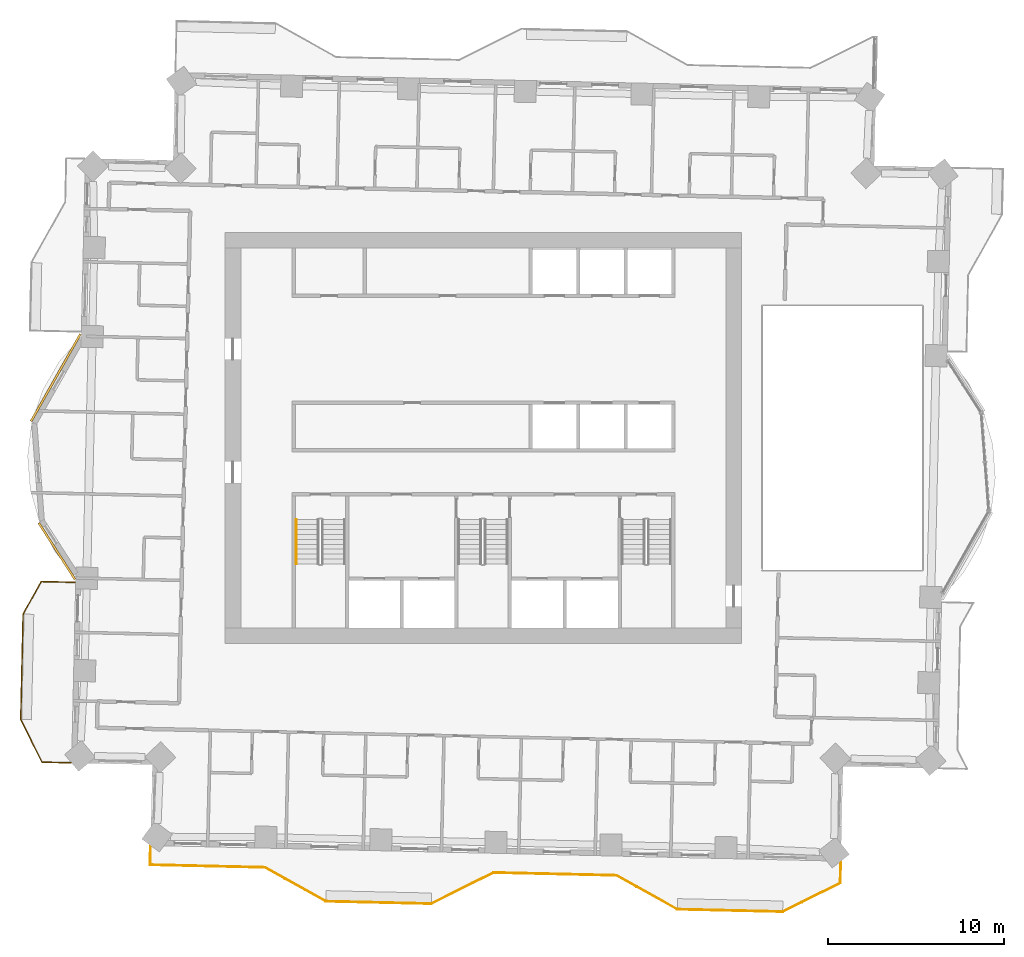
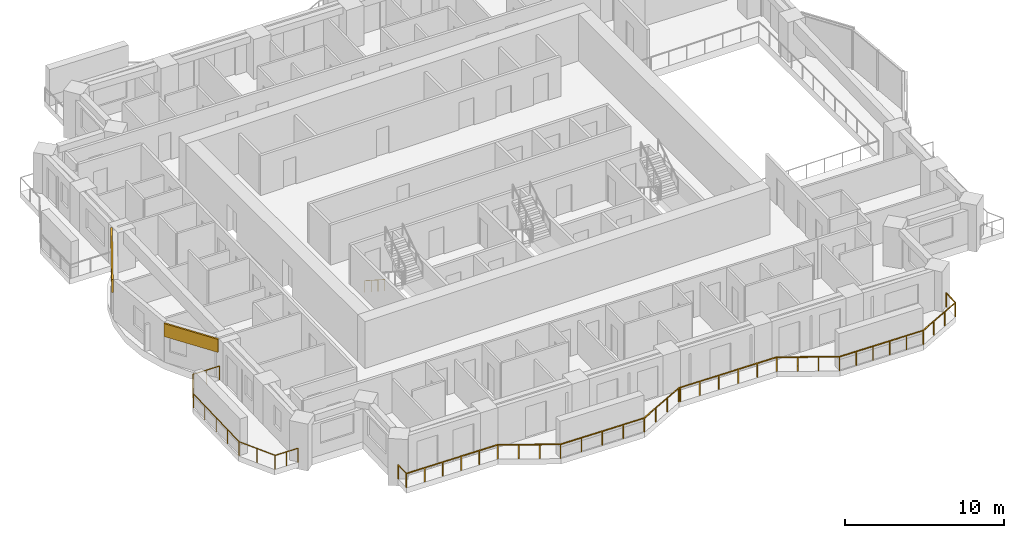
# One storey, part 11 of 14: 3 railings, 2 coverings.
"""IFC4 building model written with IfcOpenShell, lengths in metres."""

from ifc_helpers import new_model, si_unit, direction, frame, frame_2d, origin, origin_2d, place, context, subcontext, project, spatial, rectangle, circle, extrude, material, layer, layer_set, type_object, element, save


model = new_model("IFC4")

# Units and contexts
model_context = context("Model", 3, precision=1e-05, world=origin(), true_north=direction((0.0, 1.0)))
body_context = subcontext(model_context, "Body", "Model", "MODEL_VIEW")
ifc_project = project(units=[si_unit("LENGTHUNIT", "METRE"), si_unit("AREAUNIT", "SQUARE_METRE"), si_unit("VOLUMEUNIT", "CUBIC_METRE"), si_unit("PLANEANGLEUNIT", "RADIAN"), si_unit("MASSUNIT", "GRAM", prefix="KILO")], contexts=[model_context])

# Site, building, storey
site_placement = place(None, origin())
site = spatial("IfcSite", under=ifc_project, at=site_placement, CompositionType="ELEMENT")
building_placement = place(site_placement, origin())
building = spatial("IfcBuilding", under=site, at=building_placement, Name="Mangrove Gate Tower", CompositionType="ELEMENT")
storey_placement = place(building_placement, frame((0.0, 0.0, 167.10009765625)))
storey = spatial("IfcBuildingStorey", under=building, at=storey_placement, Name="L42", CompositionType="ELEMENT", Elevation=167.10009765625)

# Railings
ifc_material_1 = material(Name="Stainless steel grade 316 with laminated glass infill", Category="steel")
railing_type_1 = type_object("IfcRailingType", Name="Balcony guard 1100", PredefinedType="GUARDRAIL", material=ifc_material_1)
railing_1_placement = place(storey_placement, frame((-23.235107421875, -8.212890625, 0.0)))
element("IfcRailing", 1, at=railing_1_placement, inside=storey, type_object=railing_type_1, Name="GUARD L42 W2", PredefinedType="GUARDRAIL", context=body_context, shape_type="SweptSolid", body=[
    extrude(rectangle(XDim=0.048095703125, YDim=0.048095703125, at=origin_2d()), frame((0.0, 0.0, 1.076171875), z_axis=(-0.999749396593, 0.022386246031, 0.0), x_axis=(-0.022386246031, -0.999749396593, 0.0)), (0.0, 0.0, 1.0), 1.91943359375),
    extrude(rectangle(XDim=0.048095703125, YDim=0.048095703125, at=origin_2d()), frame((-1.9189453125, 0.04296875, 1.076171875), z_axis=(-0.487098711433, -0.873346921515, 0.0), x_axis=(0.873346921515, -0.487098711433, 0.0)), (0.0, 0.0, 1.0), 2.12060546875),
    extrude(rectangle(XDim=0.048095703125, YDim=0.048095703125, at=origin_2d()), frame((-2.951904296875, -1.80908203125, 1.076171875), z_axis=(-0.022665943652, -0.999743094499, 0.0), x_axis=(0.999743094499, -0.022665943652, 0.0)), (0.0, 0.0, 1.0), 5.99951171875),
    extrude(rectangle(XDim=0.048095703125, YDim=0.048095703125, at=origin_2d()), frame((-3.087890625, -7.80712890625, 1.076171875), z_axis=(0.447249569365, -0.894409203163, 0.0), x_axis=(0.894409203163, 0.447249569365, 0.0)), (0.0, 0.0, 1.0), 2.714599609375),
    extrude(rectangle(XDim=0.048095703125, YDim=0.048095703125, at=origin_2d()), frame((-1.873779296875, -10.235107421875, 1.076171875), z_axis=(0.999730737438, -0.023204581913, 0.0), x_axis=(0.023204581913, 0.999730737438, 0.0)), (0.0, 0.0, 1.0), 1.641357421875),
    extrude(rectangle(XDim=0.0419921875, YDim=0.0419921875, at=origin_2d()), origin(), (0.0, 0.0, 1.0), 1.052001953125),
    extrude(rectangle(XDim=0.0419921875, YDim=0.0419921875, at=origin_2d()), frame((-0.95947265625, 0.021484375, 0.0)), (0.0, 0.0, 1.0), 1.052001953125),
    extrude(rectangle(XDim=0.0419921875, YDim=0.0419921875, at=origin_2d()), frame((-1.9189453125, 0.04296875, 0.0)), (0.0, 0.0, 1.0), 1.052001953125),
    extrude(rectangle(XDim=0.0419921875, YDim=0.0419921875, at=origin_2d()), frame((-2.435546875, -0.883056640625, 0.0)), (0.0, 0.0, 1.0), 1.052001953125),
    extrude(rectangle(XDim=0.0419921875, YDim=0.0419921875, at=origin_2d()), frame((-2.951904296875, -1.80908203125, 0.0)), (0.0, 0.0, 1.0), 1.052001953125),
    extrude(rectangle(XDim=0.0419921875, YDim=0.0419921875, at=origin_2d()), frame((-2.98583984375, -3.30859375, 0.0)), (0.0, 0.0, 1.0), 1.052001953125),
    extrude(rectangle(XDim=0.0419921875, YDim=0.0419921875, at=origin_2d()), frame((-3.02001953125, -4.80810546875, 0.0)), (0.0, 0.0, 1.0), 1.052001953125),
    extrude(rectangle(XDim=0.0419921875, YDim=0.0419921875, at=origin_2d()), frame((-3.053955078125, -6.3076171875, 0.0)), (0.0, 0.0, 1.0), 1.052001953125),
    extrude(rectangle(XDim=0.0419921875, YDim=0.0419921875, at=origin_2d()), frame((-3.087890625, -7.80712890625, 0.0)), (0.0, 0.0, 1.0), 1.052001953125),
    extrude(rectangle(XDim=0.0419921875, YDim=0.0419921875, at=origin_2d()), frame((-2.48095703125, -9.02099609375, 0.0)), (0.0, 0.0, 1.0), 1.052001953125),
    extrude(rectangle(XDim=0.0419921875, YDim=0.0419921875, at=origin_2d()), frame((-1.873779296875, -10.235107421875, 0.0)), (0.0, 0.0, 1.0), 1.052001953125),
    extrude(rectangle(XDim=0.0419921875, YDim=0.0419921875, at=origin_2d()), frame((-1.05322265625, -10.254150390625, 0.0)), (0.0, 0.0, 1.0), 1.052001953125),
    extrude(rectangle(XDim=0.0419921875, YDim=0.0419921875, at=origin_2d()), frame((-0.23291015625, -10.273193359375, 0.0)), (0.0, 0.0, 1.0), 1.052001953125),
])
railing_2_placement = place(storey_placement, frame((-18.93505859375, -23.22998046875, 0.0)))
element("IfcRailing", 2, at=railing_2_placement, inside=storey, type_object=railing_type_1, Name="GUARD L42 S1", PredefinedType="GUARDRAIL", context=body_context, shape_type="SweptSolid", body=[
    extrude(rectangle(XDim=0.048095703125, YDim=0.048095703125, at=origin_2d()), frame((0.0, 0.0, 1.076171875), z_axis=(-0.022585293253, -0.999744919731, 0.0), x_axis=(0.999744919731, -0.022585293253, 0.0)), (0.0, 0.0, 1.0), 1.059326171875),
    extrude(rectangle(XDim=0.048095703125, YDim=0.048095703125, at=origin_2d()), frame((-0.02392578125, -1.05908203125, 1.076171875), z_axis=(0.999740677876, -0.022772285792, 0.0), x_axis=(0.022772285792, 0.999740677876, 0.0)), (0.0, 0.0, 1.0), 6.539794921875),
    extrude(rectangle(XDim=0.048095703125, YDim=0.048095703125, at=origin_2d()), frame((6.51416015625, -1.2080078125, 1.076171875), z_axis=(0.873315448515, -0.487155136876, 0.0), x_axis=(0.487155136876, 0.873315448515, 0.0)), (0.0, 0.0, 1.0), 3.959716796875),
    extrude(rectangle(XDim=0.048095703125, YDim=0.048095703125, at=origin_2d()), frame((9.97216796875, -3.136962890625, 1.076171875), z_axis=(0.999743073592, -0.022666865795, 0.0), x_axis=(0.022666865795, 0.999743073592, 0.0)), (0.0, 0.0, 1.0), 5.999267578125),
    extrude(rectangle(XDim=0.048095703125, YDim=0.048095703125, at=origin_2d()), frame((15.969970703125, -3.27294921875, 1.076171875), z_axis=(0.894476522376, 0.447114919141, 0.0), x_axis=(-0.447114919141, 0.894476522376, 0.0)), (0.0, 0.0, 1.0), 3.958740234375),
    extrude(rectangle(XDim=0.048095703125, YDim=0.048095703125, at=origin_2d()), frame((19.510986328125, -1.5029296875, 1.076171875), z_axis=(0.999759159015, -0.021945932759, 0.0), x_axis=(0.021945932759, 0.999759159015, 0.0)), (0.0, 0.0, 1.0), 0.10009765625),
    extrude(rectangle(XDim=0.048095703125, YDim=0.048095703125, at=origin_2d()), frame((19.611083984375, -1.505126953125, 1.076171875), z_axis=(0.999741140915, -0.022751948524, 0.0), x_axis=(0.022751948524, 0.999741140915, 0.0)), (0.0, 0.0, 1.0), 6.899658203125),
    extrude(rectangle(XDim=0.048095703125, YDim=0.048095703125, at=origin_2d()), frame((26.509033203125, -1.662109375, 1.076171875), z_axis=(0.873361856081, -0.487071933437, 0.0), x_axis=(0.487071933437, 0.873361856081, 0.0)), (0.0, 0.0, 1.0), 3.958251953125),
    extrude(rectangle(XDim=0.048095703125, YDim=0.048095703125, at=origin_2d()), frame((29.966064453125, -3.590087890625, 1.076171875), z_axis=(0.999739477659, -0.022824916448, 0.0), x_axis=(0.022824916448, 0.999739477659, 0.0)), (0.0, 0.0, 1.0), 6.00048828125),
    extrude(rectangle(XDim=0.048095703125, YDim=0.048095703125, at=origin_2d()), frame((35.965087890625, -3.72705078125, 1.076171875), z_axis=(0.894440513617, 0.447186949274, 0.0), x_axis=(-0.447186949274, 0.894440513617, 0.0)), (0.0, 0.0, 1.0), 3.6650390625),
    extrude(rectangle(XDim=0.048095703125, YDim=0.048095703125, at=origin_2d()), frame((39.2431640625, -2.088134765625, 1.076171875), z_axis=(0.022429599579, 0.999748424886, 0.0), x_axis=(-0.999748424886, 0.022429599579, 0.0)), (0.0, 0.0, 1.0), 1.197265625),
    extrude(rectangle(XDim=0.0419921875, YDim=0.0419921875, at=origin_2d()), origin(), (0.0, 0.0, 1.0), 1.052001953125),
    extrude(rectangle(XDim=0.0419921875, YDim=0.0419921875, at=origin_2d()), frame((-0.02392578125, -1.05908203125, 0.0)), (0.0, 0.0, 1.0), 1.052001953125),
    extrude(rectangle(XDim=0.0419921875, YDim=0.0419921875, at=origin_2d()), frame((1.28369140625, -1.0888671875, 0.0)), (0.0, 0.0, 1.0), 1.052001953125),
    extrude(rectangle(XDim=0.0419921875, YDim=0.0419921875, at=origin_2d()), frame((2.59130859375, -1.11865234375, 0.0)), (0.0, 0.0, 1.0), 1.052001953125),
    extrude(rectangle(XDim=0.0419921875, YDim=0.0419921875, at=origin_2d()), frame((3.89892578125, -1.1484375, 0.0)), (0.0, 0.0, 1.0), 1.052001953125),
    extrude(rectangle(XDim=0.0419921875, YDim=0.0419921875, at=origin_2d()), frame((5.20654296875, -1.17822265625, 0.0)), (0.0, 0.0, 1.0), 1.052001953125),
    extrude(rectangle(XDim=0.0419921875, YDim=0.0419921875, at=origin_2d()), frame((6.51416015625, -1.2080078125, 0.0)), (0.0, 0.0, 1.0), 1.052001953125),
    extrude(rectangle(XDim=0.0419921875, YDim=0.0419921875, at=origin_2d()), frame((7.666748046875, -1.85107421875, 0.0)), (0.0, 0.0, 1.0), 1.052001953125),
    extrude(rectangle(XDim=0.0419921875, YDim=0.0419921875, at=origin_2d()), frame((8.819580078125, -2.493896484375, 0.0)), (0.0, 0.0, 1.0), 1.052001953125),
    extrude(rectangle(XDim=0.0419921875, YDim=0.0419921875, at=origin_2d()), frame((9.97216796875, -3.136962890625, 0.0)), (0.0, 0.0, 1.0), 1.052001953125),
    extrude(rectangle(XDim=0.0419921875, YDim=0.0419921875, at=origin_2d()), frame((11.4716796875, -3.1708984375, 0.0)), (0.0, 0.0, 1.0), 1.052001953125),
    extrude(rectangle(XDim=0.0419921875, YDim=0.0419921875, at=origin_2d()), frame((12.97119140625, -3.205078125, 0.0)), (0.0, 0.0, 1.0), 1.052001953125),
    extrude(rectangle(XDim=0.0419921875, YDim=0.0419921875, at=origin_2d()), frame((14.470458984375, -3.239013671875, 0.0)), (0.0, 0.0, 1.0), 1.052001953125),
    extrude(rectangle(XDim=0.0419921875, YDim=0.0419921875, at=origin_2d()), frame((15.969970703125, -3.27294921875, 0.0)), (0.0, 0.0, 1.0), 1.052001953125),
    extrude(rectangle(XDim=0.0419921875, YDim=0.0419921875, at=origin_2d()), frame((17.150390625, -2.682861328125, 0.0)), (0.0, 0.0, 1.0), 1.052001953125),
    extrude(rectangle(XDim=0.0419921875, YDim=0.0419921875, at=origin_2d()), frame((18.33056640625, -2.093017578125, 0.0)), (0.0, 0.0, 1.0), 1.052001953125),
    extrude(rectangle(XDim=0.0419921875, YDim=0.0419921875, at=origin_2d()), frame((19.510986328125, -1.5029296875, 0.0)), (0.0, 0.0, 1.0), 1.052001953125),
    extrude(rectangle(XDim=0.0419921875, YDim=0.0419921875, at=origin_2d()), frame((19.611083984375, -1.505126953125, 0.0)), (0.0, 0.0, 1.0), 1.052001953125),
    extrude(rectangle(XDim=0.0419921875, YDim=0.0419921875, at=origin_2d()), frame((20.99072265625, -1.53662109375, 0.0)), (0.0, 0.0, 1.0), 1.052001953125),
    extrude(rectangle(XDim=0.0419921875, YDim=0.0419921875, at=origin_2d()), frame((22.370361328125, -1.56787109375, 0.0)), (0.0, 0.0, 1.0), 1.052001953125),
    extrude(rectangle(XDim=0.0419921875, YDim=0.0419921875, at=origin_2d()), frame((23.749755859375, -1.599365234375, 0.0)), (0.0, 0.0, 1.0), 1.052001953125),
    extrude(rectangle(XDim=0.0419921875, YDim=0.0419921875, at=origin_2d()), frame((25.12939453125, -1.630615234375, 0.0)), (0.0, 0.0, 1.0), 1.052001953125),
    extrude(rectangle(XDim=0.0419921875, YDim=0.0419921875, at=origin_2d()), frame((26.509033203125, -1.662109375, 0.0)), (0.0, 0.0, 1.0), 1.052001953125),
    extrude(rectangle(XDim=0.0419921875, YDim=0.0419921875, at=origin_2d()), frame((27.661376953125, -2.3046875, 0.0)), (0.0, 0.0, 1.0), 1.052001953125),
    extrude(rectangle(XDim=0.0419921875, YDim=0.0419921875, at=origin_2d()), frame((28.813720703125, -2.947509765625, 0.0)), (0.0, 0.0, 1.0), 1.052001953125),
    extrude(rectangle(XDim=0.0419921875, YDim=0.0419921875, at=origin_2d()), frame((29.966064453125, -3.590087890625, 0.0)), (0.0, 0.0, 1.0), 1.052001953125),
    extrude(rectangle(XDim=0.0419921875, YDim=0.0419921875, at=origin_2d()), frame((31.165771484375, -3.617431640625, 0.0)), (0.0, 0.0, 1.0), 1.052001953125),
    extrude(rectangle(XDim=0.0419921875, YDim=0.0419921875, at=origin_2d()), frame((32.36572265625, -3.644775390625, 0.0)), (0.0, 0.0, 1.0), 1.052001953125),
    extrude(rectangle(XDim=0.0419921875, YDim=0.0419921875, at=origin_2d()), frame((33.5654296875, -3.67236328125, 0.0)), (0.0, 0.0, 1.0), 1.052001953125),
    extrude(rectangle(XDim=0.0419921875, YDim=0.0419921875, at=origin_2d()), frame((34.765380859375, -3.69970703125, 0.0)), (0.0, 0.0, 1.0), 1.052001953125),
    extrude(rectangle(XDim=0.0419921875, YDim=0.0419921875, at=origin_2d()), frame((35.965087890625, -3.72705078125, 0.0)), (0.0, 0.0, 1.0), 1.052001953125),
    extrude(rectangle(XDim=0.0419921875, YDim=0.0419921875, at=origin_2d()), frame((37.057861328125, -3.1806640625, 0.0)), (0.0, 0.0, 1.0), 1.052001953125),
    extrude(rectangle(XDim=0.0419921875, YDim=0.0419921875, at=origin_2d()), frame((38.150390625, -2.634521484375, 0.0)), (0.0, 0.0, 1.0), 1.052001953125),
    extrude(rectangle(XDim=0.0419921875, YDim=0.0419921875, at=origin_2d()), frame((39.2431640625, -2.088134765625, 0.0)), (0.0, 0.0, 1.0), 1.052001953125),
    extrude(rectangle(XDim=0.0419921875, YDim=0.0419921875, at=origin_2d()), frame((39.27001953125, -0.89111328125, 0.0)), (0.0, 0.0, 1.0), 1.052001953125),
])
ifc_material_2 = material(Name="Stainless steel 316", Category="steel")
railing_type_2 = type_object("IfcRailingType", Name="Core stair handrail 900", PredefinedType="HANDRAIL", material=ifc_material_2)
railing_3_placement = place(storey_placement, frame((-10.64990234375, -4.64990234375, 0.179931640625)))
element("IfcRailing", 3, at=railing_3_placement, inside=storey, type_object=railing_type_2, Name="L42 ST1 stair handrail 1", PredefinedType="HANDRAIL", context=body_context, shape_type="SweptSolid", body=[
    extrude(circle(Radius=0.02392578125, at=origin_2d()), frame((0.0, 0.0, 0.8759765625), z_axis=(0.0, -0.841199657755, 0.540724639528), x_axis=(1.0, 0.0, 0.0)), (0.0, 0.0, 1.0), 2.995849609375),
    extrude(circle(Radius=0.02099609375, at=origin_2d()), origin(), (0.0, 0.0, 1.0), 0.851806640625),
    extrude(circle(Radius=0.02099609375, at=origin_2d()), frame((0.0, -0.840087890625, 0.5400390625)), (0.0, 0.0, 1.0), 0.851806640625),
    extrude(circle(Radius=0.02099609375, at=origin_2d()), frame((0.0, -1.679931640625, 1.079833984375)), (0.0, 0.0, 1.0), 0.851806640625),
    extrude(circle(Radius=0.02099609375, at=origin_2d()), frame((0.0, -2.52001953125, 1.619873046875)), (0.0, 0.0, 1.0), 0.851806640625),
])

# Coverings
ifc_material_3 = material(Name="Limestone", Category="masonry")
ifc_layer_1 = layer(ifc_material_3, 0.0400390625, Name="Limestone cladding")
ifc_material_4 = material(Name="Stainless steel anchors and cavity", Category="steel")
ifc_layer_2 = layer(ifc_material_4, 0.080078125, Name="Fixing cavity")
ifc_layer_set = layer_set([ifc_layer_1, ifc_layer_2], Name="Joint fascia cladding 120")
covering_type = type_object("IfcCoveringType", Name="Joint fascia cladding 120", PredefinedType="CLADDING", material=ifc_layer_set)
covering_1_placement = place(storey_placement, frame((-22.925048828125, 5.908935546875, 2.0498046875), z_axis=(0.0, 0.0, 1.0), x_axis=(-0.49249427368, -0.870315684331, 0.0)))
element("IfcCovering", 4, at=covering_1_placement, inside=storey, type_object=covering_type, Name="STONE FASCIA L42 W9.L1", PredefinedType="CLADDING", context=body_context, shape_type="SweptSolid", body=[
    extrude(rectangle(XDim=5.705810546875, YDim=0.1201171875, at=frame_2d((2.85302734375, 0.0))), origin(), (0.0, 0.0, 1.0), 1.0),
])
covering_2_placement = place(storey_placement, frame((-25.300048828125, -4.830078125, 2.0498046875), z_axis=(0.0, 0.0, 1.0), x_axis=(0.540486138148, -0.841352919095, 0.0)))
element("IfcCovering", 5, at=covering_2_placement, inside=storey, type_object=covering_type, Name="STONE FASCIA L42 W9.L2", PredefinedType="CLADDING", context=body_context, shape_type="SweptSolid", body=[
    extrude(rectangle(XDim=3.818603515625, YDim=0.1201171875, at=frame_2d((1.9091796875, 0.0))), origin(), (0.0, 0.0, 1.0), 1.0),
])

save(model, "model.ifc")
